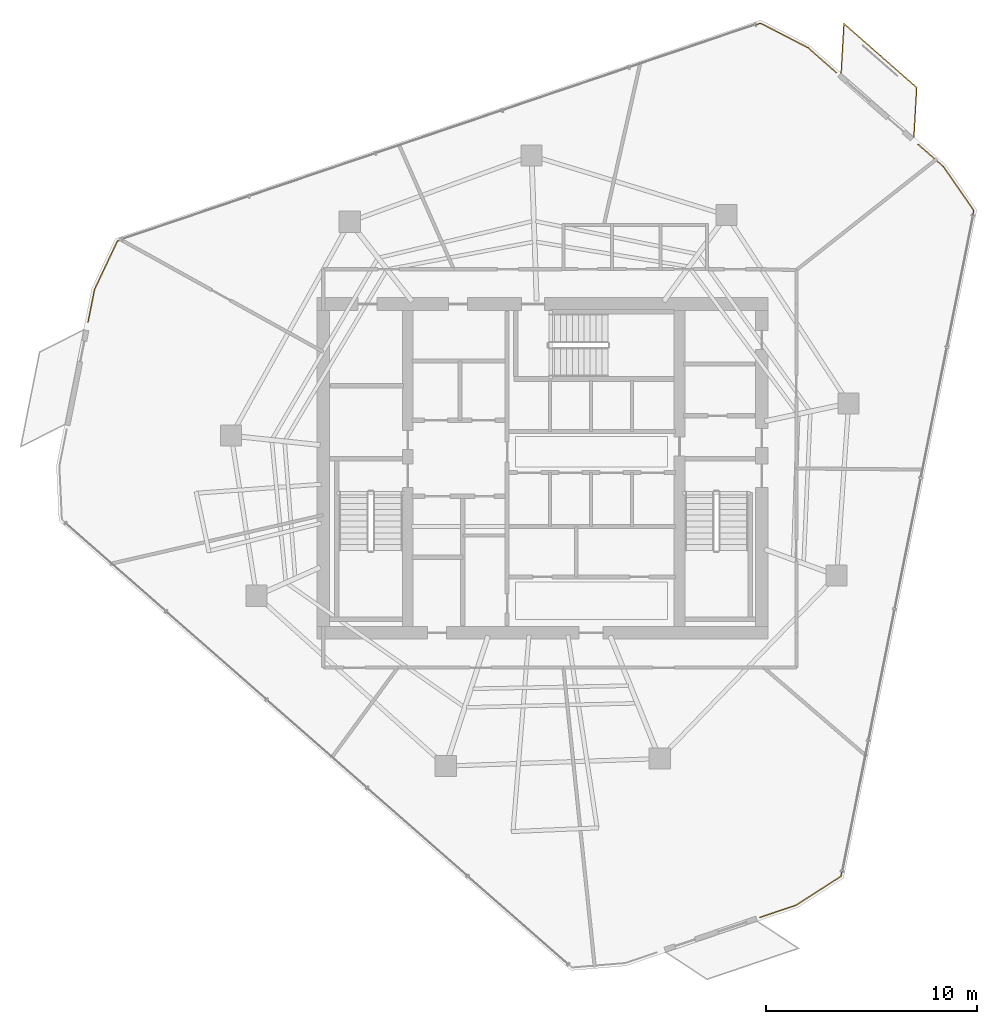
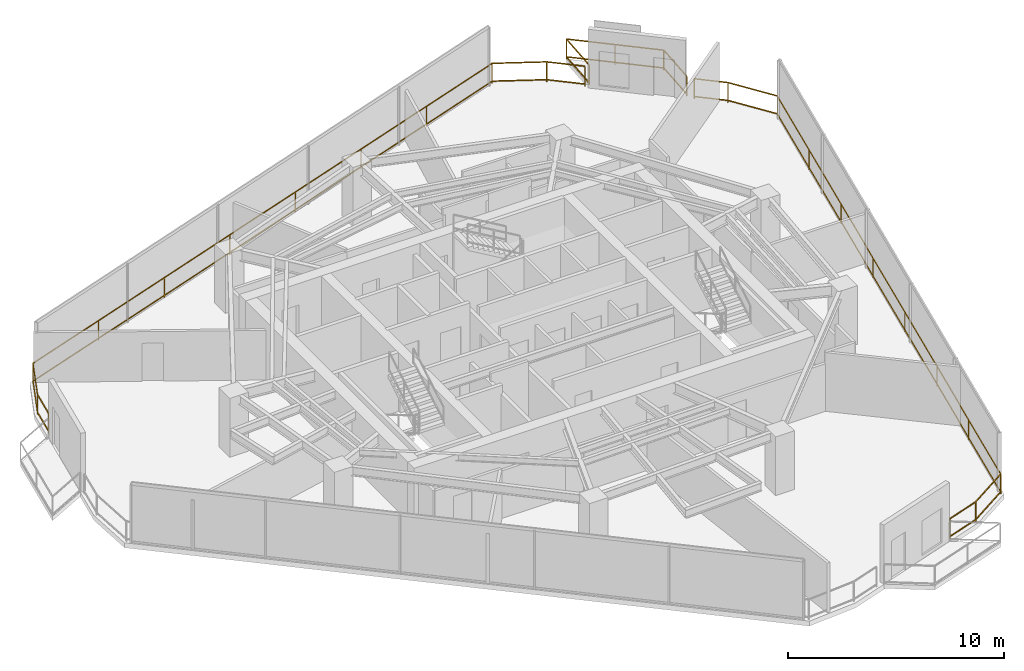
# One storey, part 20 of 20: 4 railings.
"""IFC4 building model written with IfcOpenShell, lengths in metres."""

from ifc_helpers import new_model, si_unit, direction, frame, origin, origin_2d, place, context, subcontext, project, spatial, rectangle, extrude, material, type_object, element, save


model = new_model("IFC4")

# Units and contexts
model_context = context("Model", 3, precision=1e-05, world=origin(), true_north=direction((0.0, 1.0)))
body_context = subcontext(model_context, "Body", "Model", "MODEL_VIEW")
ifc_project = project(units=[si_unit("LENGTHUNIT", "METRE"), si_unit("AREAUNIT", "SQUARE_METRE"), si_unit("VOLUMEUNIT", "CUBIC_METRE"), si_unit("PLANEANGLEUNIT", "RADIAN"), si_unit("MASSUNIT", "GRAM", prefix="KILO")], contexts=[model_context])

# Site, building, storey
site_placement = place(None, origin())
site = spatial("IfcSite", under=ifc_project, at=site_placement, CompositionType="ELEMENT")
building_placement = place(site_placement, origin())
building = spatial("IfcBuilding", under=site, at=building_placement, Name="Qarnah Convention Tower", CompositionType="ELEMENT")
storey_placement = place(building_placement, frame((0.0, 0.0, 136.5)))
storey = spatial("IfcBuildingStorey", under=building, at=storey_placement, Name="L36", CompositionType="ELEMENT", Elevation=136.5)

# Railings
ifc_material = material(Name="Black anodised aluminium", Category="aluminium")
railing_type = type_object("IfcRailingType", Name="RL-EXT-GUARD-1150", PredefinedType="GUARDRAIL", material=ifc_material)
railing_1_placement = place(storey_placement, frame((49.7919921875, 46.362060546875, 0.0)))
element("IfcRailing", 1, at=railing_1_placement, inside=storey, type_object=railing_type, Name="L36 slab-edge perimeter safety guard 01", PredefinedType="GUARDRAIL", context=body_context, shape_type="SweptSolid", body=[
    extrude(rectangle(XDim=0.048095703125, YDim=0.048095703125, at=origin_2d()), frame((0.0, 0.0, 1.1259765625), z_axis=(0.751384558703, -0.659864565607, 0.0), x_axis=(0.659864565607, 0.751384558703, 0.0)), (0.0, 0.0, 1.0), 1.80322265625),
    extrude(rectangle(XDim=0.048095703125, YDim=0.048095703125, at=origin_2d()), frame((0.0, 0.0, 0.1201171875), z_axis=(0.751384558703, -0.659864565607, 0.0), x_axis=(0.659864565607, 0.751384558703, 0.0)), (0.0, 0.0, 1.0), 1.80322265625),
    extrude(rectangle(XDim=0.0419921875, YDim=0.0419921875, at=origin_2d()), origin(), (0.0, 0.0, 1.0), 1.101806640625),
    extrude(rectangle(XDim=0.0419921875, YDim=0.0419921875, at=origin_2d()), frame((1.35498046875, -1.18994140625, 0.0)), (0.0, 0.0, 1.0), 1.101806640625),
])
railing_2_placement = place(storey_placement, frame((55.02392578125, 41.77001953125, 0.0)))
element("IfcRailing", 2, at=railing_2_placement, inside=storey, type_object=railing_type, Name="L36 slab-edge perimeter safety guard 02", PredefinedType="GUARDRAIL", context=body_context, shape_type="SweptSolid", body=[
    extrude(rectangle(XDim=0.048095703125, YDim=0.048095703125, at=origin_2d()), frame((0.0, 0.0, 1.1259765625), z_axis=(0.751445785099, -0.659794840884, 0.0), x_axis=(0.659794840884, 0.751445785099, 0.0)), (0.0, 0.0, 1.0), 1.593017578125),
    extrude(rectangle(XDim=0.048095703125, YDim=0.048095703125, at=origin_2d()), frame((0.0, 0.0, 0.1201171875), z_axis=(0.751445785099, -0.659794840884, 0.0), x_axis=(0.659794840884, 0.751445785099, 0.0)), (0.0, 0.0, 1.0), 1.593017578125),
    extrude(rectangle(XDim=0.048095703125, YDim=0.048095703125, at=origin_2d()), frame((1.197021484375, -1.051025390625, 1.1259765625), z_axis=(0.569505934526, -0.821987220424, 0.0), x_axis=(0.821987220424, 0.569505934526, 0.0)), (0.0, 0.0, 1.0), 2.530517578125),
    extrude(rectangle(XDim=0.048095703125, YDim=0.048095703125, at=origin_2d()), frame((1.197021484375, -1.051025390625, 0.1201171875), z_axis=(0.569505934526, -0.821987220424, 0.0), x_axis=(0.821987220424, 0.569505934526, 0.0)), (0.0, 0.0, 1.0), 2.530517578125),
    extrude(rectangle(XDim=0.048095703125, YDim=0.048095703125, at=origin_2d()), frame((2.63818359375, -3.131103515625, 1.1259765625), z_axis=(-0.195620600946, -0.980679652326, 0.0), x_axis=(0.980679652326, -0.195620600946, 0.0)), (0.0, 0.0, 1.0), 32.21533203125),
    extrude(rectangle(XDim=0.048095703125, YDim=0.048095703125, at=origin_2d()), frame((2.63818359375, -3.131103515625, 0.1201171875), z_axis=(-0.195620600946, -0.980679652326, 0.0), x_axis=(0.980679652326, -0.195620600946, 0.0)), (0.0, 0.0, 1.0), 32.21533203125),
    extrude(rectangle(XDim=0.048095703125, YDim=0.048095703125, at=origin_2d()), frame((-3.663818359375, -34.72412109375, 1.1259765625), z_axis=(-0.841325763072, -0.540528408496, 0.0), x_axis=(0.540528408496, -0.841325763072, 0.0)), (0.0, 0.0, 1.0), 2.53076171875),
    extrude(rectangle(XDim=0.048095703125, YDim=0.048095703125, at=origin_2d()), frame((-3.663818359375, -34.72412109375, 0.1201171875), z_axis=(-0.841325763072, -0.540528408496, 0.0), x_axis=(0.540528408496, -0.841325763072, 0.0)), (0.0, 0.0, 1.0), 2.53076171875),
    extrude(rectangle(XDim=0.048095703125, YDim=0.048095703125, at=origin_2d()), frame((-5.79296875, -36.092041015625, 1.1259765625), z_axis=(-0.947252020167, -0.320489641471, 0.0), x_axis=(0.320489641471, -0.947252020167, 0.0)), (0.0, 0.0, 1.0), 1.80322265625),
    extrude(rectangle(XDim=0.048095703125, YDim=0.048095703125, at=origin_2d()), frame((-5.79296875, -36.092041015625, 0.1201171875), z_axis=(-0.947252020167, -0.320489641471, 0.0), x_axis=(0.320489641471, -0.947252020167, 0.0)), (0.0, 0.0, 1.0), 1.80322265625),
    extrude(rectangle(XDim=0.0419921875, YDim=0.0419921875, at=origin_2d()), origin(), (0.0, 0.0, 1.0), 1.101806640625),
    extrude(rectangle(XDim=0.0419921875, YDim=0.0419921875, at=origin_2d()), frame((1.197021484375, -1.051025390625, 0.0)), (0.0, 0.0, 1.0), 1.101806640625),
    extrude(rectangle(XDim=0.0419921875, YDim=0.0419921875, at=origin_2d()), frame((2.63818359375, -3.131103515625, 0.0)), (0.0, 0.0, 1.0), 1.101806640625),
    extrude(rectangle(XDim=0.0419921875, YDim=0.0419921875, at=origin_2d()), frame((1.73779296875, -7.644287109375, 0.0)), (0.0, 0.0, 1.0), 1.101806640625),
    extrude(rectangle(XDim=0.0419921875, YDim=0.0419921875, at=origin_2d()), frame((0.837646484375, -12.15771484375, 0.0)), (0.0, 0.0, 1.0), 1.101806640625),
    extrude(rectangle(XDim=0.0419921875, YDim=0.0419921875, at=origin_2d()), frame((-0.062744140625, -16.6708984375, 0.0)), (0.0, 0.0, 1.0), 1.101806640625),
    extrude(rectangle(XDim=0.0419921875, YDim=0.0419921875, at=origin_2d()), frame((-0.962890625, -21.184326171875, 0.0)), (0.0, 0.0, 1.0), 1.101806640625),
    extrude(rectangle(XDim=0.0419921875, YDim=0.0419921875, at=origin_2d()), frame((-1.86328125, -25.697509765625, 0.0)), (0.0, 0.0, 1.0), 1.101806640625),
    extrude(rectangle(XDim=0.0419921875, YDim=0.0419921875, at=origin_2d()), frame((-2.763427734375, -30.2109375, 0.0)), (0.0, 0.0, 1.0), 1.101806640625),
    extrude(rectangle(XDim=0.0419921875, YDim=0.0419921875, at=origin_2d()), frame((-3.663818359375, -34.72412109375, 0.0)), (0.0, 0.0, 1.0), 1.101806640625),
    extrude(rectangle(XDim=0.0419921875, YDim=0.0419921875, at=origin_2d()), frame((-5.79296875, -36.092041015625, 0.0)), (0.0, 0.0, 1.0), 1.101806640625),
    extrude(rectangle(XDim=0.0419921875, YDim=0.0419921875, at=origin_2d()), frame((-7.5009765625, -36.669921875, 0.0)), (0.0, 0.0, 1.0), 1.101806640625),
])
railing_3_placement = place(storey_placement, frame((15.638916015625, 33.3330078125, 0.0)))
element("IfcRailing", 3, at=railing_3_placement, inside=storey, type_object=railing_type, Name="L36 slab-edge perimeter safety guard 04", PredefinedType="GUARDRAIL", context=body_context, shape_type="SweptSolid", body=[
    extrude(rectangle(XDim=0.048095703125, YDim=0.048095703125, at=origin_2d()), frame((0.0, 0.0, 1.1259765625), z_axis=(0.195880327941, 0.980627807644, 0.0), x_axis=(-0.980627807644, 0.195880327941, 0.0)), (0.0, 0.0, 1.0), 1.5927734375),
    extrude(rectangle(XDim=0.048095703125, YDim=0.048095703125, at=origin_2d()), frame((0.0, 0.0, 0.1201171875), z_axis=(0.195880327941, 0.980627807644, 0.0), x_axis=(-0.980627807644, 0.195880327941, 0.0)), (0.0, 0.0, 1.0), 1.5927734375),
    extrude(rectangle(XDim=0.048095703125, YDim=0.048095703125, at=origin_2d()), frame((0.31201171875, 1.56201171875, 1.1259765625), z_axis=(0.427376748246, 0.904073622588, 0.0), x_axis=(-0.904073622588, 0.427376748246, 0.0)), (0.0, 0.0, 1.0), 2.529541015625),
    extrude(rectangle(XDim=0.048095703125, YDim=0.048095703125, at=origin_2d()), frame((0.31201171875, 1.56201171875, 0.1201171875), z_axis=(0.427376748246, 0.904073622588, 0.0), x_axis=(-0.904073622588, 0.427376748246, 0.0)), (0.0, 0.0, 1.0), 2.529541015625),
    extrude(rectangle(XDim=0.048095703125, YDim=0.048095703125, at=origin_2d()), frame((1.39306640625, 3.848876953125, 1.1259765625), z_axis=(0.947090597571, 0.320966353364, 0.0), x_axis=(-0.320966353364, 0.947090597571, 0.0)), (0.0, 0.0, 1.0), 32.215576171875),
    extrude(rectangle(XDim=0.048095703125, YDim=0.048095703125, at=origin_2d()), frame((1.39306640625, 3.848876953125, 0.1201171875), z_axis=(0.947090597571, 0.320966353364, 0.0), x_axis=(-0.320966353364, 0.947090597571, 0.0)), (0.0, 0.0, 1.0), 32.215576171875),
    extrude(rectangle(XDim=0.048095703125, YDim=0.048095703125, at=origin_2d()), frame((31.904052734375, 14.18896484375, 1.1259765625), z_axis=(0.888761409021, -0.458370110102, 0.0), x_axis=(0.458370110102, 0.888761409021, 0.0)), (0.0, 0.0, 1.0), 2.530517578125),
    extrude(rectangle(XDim=0.048095703125, YDim=0.048095703125, at=origin_2d()), frame((31.904052734375, 14.18896484375, 0.1201171875), z_axis=(0.888761409021, -0.458370110102, 0.0), x_axis=(0.458370110102, 0.888761409021, 0.0)), (0.0, 0.0, 1.0), 2.530517578125),
    extrude(rectangle(XDim=0.0419921875, YDim=0.0419921875, at=origin_2d()), origin(), (0.0, 0.0, 1.0), 1.101806640625),
    extrude(rectangle(XDim=0.0419921875, YDim=0.0419921875, at=origin_2d()), frame((0.31201171875, 1.56201171875, 0.0)), (0.0, 0.0, 1.0), 1.101806640625),
    extrude(rectangle(XDim=0.0419921875, YDim=0.0419921875, at=origin_2d()), frame((1.39306640625, 3.848876953125, 0.0)), (0.0, 0.0, 1.0), 1.101806640625),
    extrude(rectangle(XDim=0.0419921875, YDim=0.0419921875, at=origin_2d()), frame((5.751708984375, 5.325927734375, 0.0)), (0.0, 0.0, 1.0), 1.101806640625),
    extrude(rectangle(XDim=0.0419921875, YDim=0.0419921875, at=origin_2d()), frame((10.110595703125, 6.80322265625, 0.0)), (0.0, 0.0, 1.0), 1.101806640625),
    extrude(rectangle(XDim=0.0419921875, YDim=0.0419921875, at=origin_2d()), frame((14.46923828125, 8.2802734375, 0.0)), (0.0, 0.0, 1.0), 1.101806640625),
    extrude(rectangle(XDim=0.0419921875, YDim=0.0419921875, at=origin_2d()), frame((18.827880859375, 9.757568359375, 0.0)), (0.0, 0.0, 1.0), 1.101806640625),
    extrude(rectangle(XDim=0.0419921875, YDim=0.0419921875, at=origin_2d()), frame((23.1865234375, 11.234619140625, 0.0)), (0.0, 0.0, 1.0), 1.101806640625),
    extrude(rectangle(XDim=0.0419921875, YDim=0.0419921875, at=origin_2d()), frame((27.54541015625, 12.7119140625, 0.0)), (0.0, 0.0, 1.0), 1.101806640625),
    extrude(rectangle(XDim=0.0419921875, YDim=0.0419921875, at=origin_2d()), frame((31.904052734375, 14.18896484375, 0.0)), (0.0, 0.0, 1.0), 1.101806640625),
    extrude(rectangle(XDim=0.0419921875, YDim=0.0419921875, at=origin_2d()), frame((34.153076171875, 13.029052734375, 0.0)), (0.0, 0.0, 1.0), 1.101806640625),
])
railing_4_placement = place(storey_placement, frame((51.366943359375, 45.158935546875, 0.0)))
element("IfcRailing", 4, at=railing_4_placement, inside=storey, type_object=railing_type, Name="L36 balcony safety guard BAL-L36-C1", PredefinedType="GUARDRAIL", context=body_context, shape_type="SweptSolid", body=[
    extrude(rectangle(XDim=0.048095703125, YDim=0.048095703125, at=origin_2d()), frame((0.0, 0.0, 1.1259765625), z_axis=(0.057088288143, 0.998369133816, 0.0), x_axis=(-0.998369133816, 0.057088288143, 0.0)), (0.0, 0.0, 1.0), 2.347900390625),
    extrude(rectangle(XDim=0.048095703125, YDim=0.048095703125, at=origin_2d()), frame((0.0, 0.0, 0.1201171875), z_axis=(0.057088288143, 0.998369133816, 0.0), x_axis=(-0.998369133816, 0.057088288143, 0.0)), (0.0, 0.0, 1.0), 2.347900390625),
    extrude(rectangle(XDim=0.048095703125, YDim=0.048095703125, at=origin_2d()), frame((0.134033203125, 2.343994140625, 1.1259765625), z_axis=(0.751497340876, -0.659736118957, 0.0), x_axis=(0.659736118957, 0.751497340876, 0.0)), (0.0, 0.0, 1.0), 4.60009765625),
    extrude(rectangle(XDim=0.048095703125, YDim=0.048095703125, at=origin_2d()), frame((0.134033203125, 2.343994140625, 0.1201171875), z_axis=(0.751497340876, -0.659736118957, 0.0), x_axis=(0.659736118957, 0.751497340876, 0.0)), (0.0, 0.0, 1.0), 4.60009765625),
    extrude(rectangle(XDim=0.048095703125, YDim=0.048095703125, at=origin_2d()), frame((3.591064453125, -0.69091796875, 1.1259765625), z_axis=(-0.05711200477, -0.99836777738, 0.0), x_axis=(0.99836777738, -0.05711200477, 0.0)), (0.0, 0.0, 1.0), 2.346923828125),
    extrude(rectangle(XDim=0.048095703125, YDim=0.048095703125, at=origin_2d()), frame((3.591064453125, -0.69091796875, 0.1201171875), z_axis=(-0.05711200477, -0.99836777738, 0.0), x_axis=(0.99836777738, -0.05711200477, 0.0)), (0.0, 0.0, 1.0), 2.346923828125),
    extrude(rectangle(XDim=0.0419921875, YDim=0.0419921875, at=origin_2d()), origin(), (0.0, 0.0, 1.0), 1.101806640625),
    extrude(rectangle(XDim=0.0419921875, YDim=0.0419921875, at=origin_2d()), frame((0.134033203125, 2.343994140625, 0.0)), (0.0, 0.0, 1.0), 1.101806640625),
    extrude(rectangle(XDim=0.0419921875, YDim=0.0419921875, at=origin_2d()), frame((1.862548828125, 0.82666015625, 0.0)), (0.0, 0.0, 1.0), 1.101806640625),
    extrude(rectangle(XDim=0.0419921875, YDim=0.0419921875, at=origin_2d()), frame((3.591064453125, -0.69091796875, 0.0)), (0.0, 0.0, 1.0), 1.101806640625),
    extrude(rectangle(XDim=0.0419921875, YDim=0.0419921875, at=origin_2d()), frame((3.45703125, -3.033935546875, 0.0)), (0.0, 0.0, 1.0), 1.101806640625),
])

save(model, "model.ifc")
